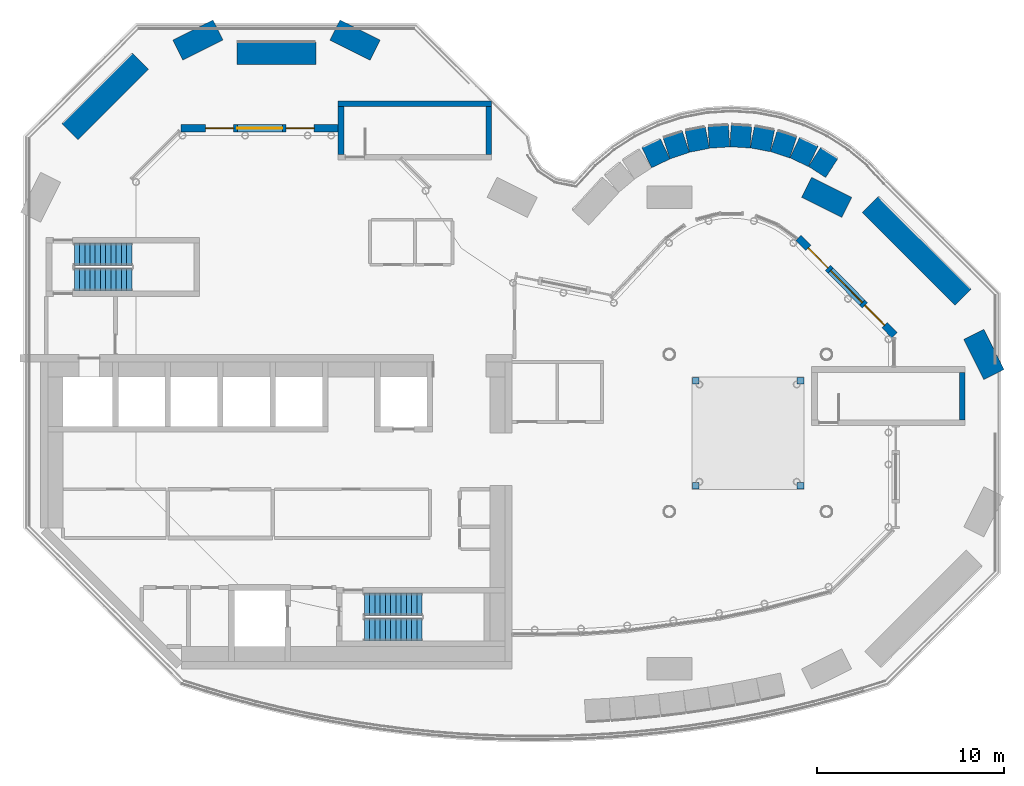
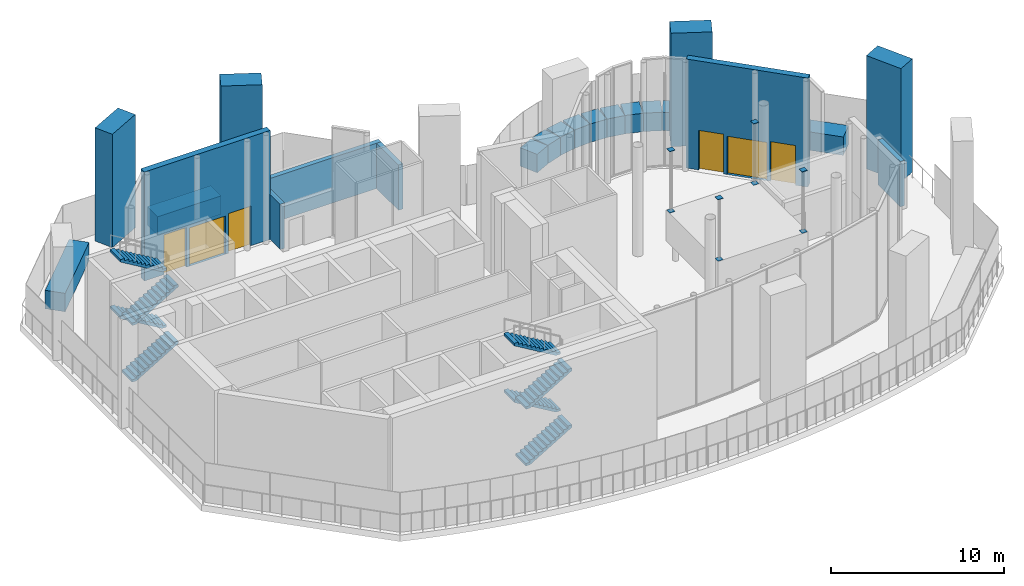
# One storey, part 10 of 14: 22 walls, 8 discrete accessories, 8 stair flights, 4 windows, 2 doors, 6 openings, 2 elements without a shape of their own.
"""IFC4 building model written with IfcOpenShell, lengths in metres."""

from ifc_helpers import new_model, si_unit, direction, frame, frame_2d, origin, origin_2d, place, context, subcontext, project, spatial, polyline, rectangle, outline, extrude, material, layer, layer_set, type_object, element, fill, aggregate, save


model = new_model("IFC4")

# Units and contexts
model_context = context("Model", 3, precision=1e-05, world=origin(), true_north=direction((0.0, 1.0)))
body_context = subcontext(model_context, "Body", "Model", "MODEL_VIEW")
ifc_project = project(units=[si_unit("LENGTHUNIT", "METRE"), si_unit("AREAUNIT", "SQUARE_METRE"), si_unit("VOLUMEUNIT", "CUBIC_METRE"), si_unit("PLANEANGLEUNIT", "RADIAN"), si_unit("MASSUNIT", "GRAM", prefix="KILO")], contexts=[model_context])

# Site, building, storey
site_placement = place(None, origin())
site = spatial("IfcSite", under=ifc_project, at=site_placement, CompositionType="ELEMENT")
building_placement = place(site_placement, origin())
building = spatial("IfcBuilding", under=site, at=building_placement, Name="Brevane Broadcast Tower", CompositionType="ELEMENT")
storey_placement = place(building_placement, frame((0.0, 0.0, 256.199951171875)))
storey = spatial("IfcBuildingStorey", under=building, at=storey_placement, Name="L65", CompositionType="ELEMENT", Elevation=256.199951171875)

# Walls
ifc_material_1 = material(Name="Concrete C60/75", Category="concrete")
ifc_layer_1 = layer(ifc_material_1, 1.199951171875)
ifc_layer_set_1 = layer_set([ifc_layer_1], Name="CONCRETE CANOPY PIER WALL 1200 C60/75")
wall_type_1 = type_object("IfcWallType", Name="CONCRETE CANOPY PIER WALL 1200 C60/75", PredefinedType="SOLIDWALL", material=ifc_layer_set_1)
wall_1_placement = place(storey_placement, frame((9.473388671875, 34.13671875, 0.0), z_axis=(0.0, 0.0, 1.0), x_axis=(-0.894406846464, -0.447254282259, 0.0)))
element("IfcWall", 1, at=wall_1_placement, inside=storey, type_object=wall_type_1, Name="CP1 2", PredefinedType="SOLIDWALL", context=body_context, shape_type="SweptSolid", body=[
    extrude(rectangle(XDim=2.400146484375, YDim=1.199951171875, at=frame_2d((1.2001953125, 0.0))), origin(), (0.0, 0.0, 1.0), 8.0),
])
for number, where, z_axis, x_axis, name in (
    (2, (17.873291015625, 33.063232421875, 0.0), (0.0, 0.0, 1.0), (-0.894386496374, 0.447294975496, 0.0), "CP1 3"),
    (3, (43.0732421875, 24.663330078125, 0.0), (0.0, 0.0, 1.0), (-0.894427191, 0.4472135955, 0.0), "CP1 8"),
    (4, (50.936767578125, 15.726806640625, 0.0), (0.0, 0.0, 1.0), (-0.447294975496, 0.894386496374, 0.0), "CP1 10"),
):
    element("IfcWall", number, at=place(storey_placement, frame(where, z_axis=z_axis, x_axis=x_axis)), inside=storey, type_object=wall_type_1, Name=name, PredefinedType="SOLIDWALL", context=body_context, shape_type="SweptSolid", body=[
        extrude(rectangle(XDim=2.39990234375, YDim=1.199951171875, at=frame_2d((1.199951171875, 0.0))), origin(), (0.0, 0.0, 1.0), 8.0),
    ])
ifc_material_2 = material(Name="Concrete C50/60", Category="concrete")
ifc_layer_2 = layer(ifc_material_2, 0.300048828125)
ifc_layer_set_2 = layer_set([ifc_layer_2], Name="Core wall 300 mm C50/60")
wall_type_2 = type_object("IfcWallType", Name="Core wall 300 mm C50/60", PredefinedType="SHEAR", material=ifc_layer_set_2)
wall_2_placement = place(storey_placement, frame((15.89990234375, 30.199951171875, 0.0), z_axis=(0.0, 0.0, 1.0), x_axis=(1.0, 0.0, 0.0)))
element("IfcWall", 5, at=wall_2_placement, inside=storey, type_object=wall_type_2, Name="L65 stair wall ST-3-N", PredefinedType="SHEAR", context=body_context, shape_type="SweptSolid", body=[
    extrude(rectangle(XDim=8.2001953125, YDim=0.300048828125, at=frame_2d((4.10009765625, 0.0))), origin(), (0.0, 0.0, 1.0), 3.199951171875),
])
for number, where, z_axis, x_axis, name in (
    (6, (16.050048828125, 27.5, 0.0), (0.0, 0.0, 1.0), (0.0, 1.0, 0.0), "L65 stair wall ST-3-W"),
    (7, (23.949951171875, 27.5, 0.0), (0.0, 0.0, 1.0), (0.0, 1.0, 0.0), "L65 stair wall ST-3-E"),
    (8, (49.25, 13.300048828125, 0.0), (0.0, 0.0, 1.0), (0.0, 1.0, 0.0), "L65 stair wall ST-4-E"),
):
    element("IfcWall", number, at=place(storey_placement, frame(where, z_axis=z_axis, x_axis=x_axis)), inside=storey, type_object=wall_type_2, Name=name, PredefinedType="SHEAR", context=body_context, shape_type="SweptSolid", body=[
        extrude(rectangle(XDim=2.550048828125, YDim=0.300048828125, at=frame_2d((1.27490234375, 0.0))), origin(), (0.0, 0.0, 1.0), 3.199951171875),
    ])

# Wall, openings, door, windows
ifc_material_3 = material(Name="Concrete C40/50", Category="concrete")
ifc_layer_3 = layer(ifc_material_3, 0.39990234375)
ifc_layer_set_3 = layer_set([ifc_layer_3], Name="Hall portal wall 400")
wall_type_3 = type_object("IfcWallType", Name="Hall portal wall 400", PredefinedType="SOLIDWALL", material=ifc_layer_set_3)
wall_3_placement = place(storey_placement, frame((40.485595703125, 23.02978515625, 0.0), z_axis=(0.0, 0.0, 1.0), x_axis=(0.702768053857, -0.711419048436, 0.0)))
wall_3 = element("IfcWall", 9, at=wall_3_placement, inside=storey, type_object=wall_type_3, Name="Portal wall deck door", PredefinedType="SOLIDWALL", context=body_context, shape_type="SweptSolid", body=[
    extrude(rectangle(XDim=7.309326171875, YDim=0.39990234375, at=frame_2d((3.65478515625, 0.0))), origin(), (0.0, 0.0, 1.0), 7.699951171875),
])
opening_1_placement = place(wall_3_placement, frame((2.45458984375, 0.0, 0.0)))
opening_1 = element("IfcOpeningElement", 10, at=opening_1_placement, cuts=wall_3, Name="Opening EX20", PredefinedType="OPENING", context=body_context, shape_type="SweptSolid", body=[
    extrude(rectangle(XDim=2.39990234375, YDim=2.699951171875, at=frame_2d((1.199951171875, 1.35009765625))), frame((0.0, 0.2099609375, 0.0), z_axis=(0.0, -1.0, 0.0), x_axis=(1.0, 0.0, 0.0)), (0.0, 0.0, 1.0), 0.419921875),
])
opening_2_placement = place(wall_3_placement, frame((0.754638671875, 0.0, 0.0)))
opening_2 = element("IfcOpeningElement", 11, at=opening_2_placement, cuts=wall_3, Name="Opening FW07", PredefinedType="OPENING", context=body_context, shape_type="SweptSolid", body=[
    extrude(rectangle(XDim=1.5, YDim=2.800048828125, at=frame_2d((0.75, 1.39990234375))), frame((0.0, 0.2099609375, 0.0), z_axis=(0.0, -1.0, 0.0), x_axis=(1.0, 0.0, 0.0)), (0.0, 0.0, 1.0), 0.419921875),
])
opening_3_placement = place(wall_3_placement, frame((5.0546875, 0.0, 0.0)))
opening_3 = element("IfcOpeningElement", 12, at=opening_3_placement, cuts=wall_3, Name="Opening FW08", PredefinedType="OPENING", context=body_context, shape_type="SweptSolid", body=[
    extrude(rectangle(XDim=1.5, YDim=2.800048828125, at=frame_2d((0.75, 1.39990234375))), frame((0.0, 0.2099609375, 0.0), z_axis=(0.0, -1.0, 0.0), x_axis=(1.0, 0.0, 0.0)), (0.0, 0.0, 1.0), 0.419921875),
])
ifc_material_4 = material(Name="Aluminium bronze anodised and laminated glass", Category="aluminium")
door_type = type_object("IfcDoorType", Name="Hall deck door 2400x2700", OperationType="DOUBLE_DOOR_DOUBLE_SWING", PredefinedType="DOOR", material=ifc_material_4)
door_1_placement = place(opening_1_placement, origin())
door_1 = element("IfcDoor", 13, at=door_1_placement, inside=storey, type_object=door_type, Name="Deck door", OperationType="DOUBLE_DOOR_DOUBLE_SWING", OverallHeight=2.699951171875, OverallWidth=2.39990234375, PredefinedType="DOOR", context=body_context, shape_type="SweptSolid", body=[
    extrude(rectangle(XDim=2.39990234375, YDim=2.699951171875, at=frame_2d((1.199951171875, 1.35009765625))), frame((0.0, 0.02490234375, 0.0), z_axis=(0.0, -1.0, 0.0), x_axis=(1.0, 0.0, 0.0)), (0.0, 0.0, 1.0), 0.050048828125),
])
fill(opening_1, door_1)
ifc_material_5 = material(Name="Laminated glass bronze-tinted", Category="glass")
window_type = type_object("IfcWindowType", Name="Hall sidelight 1500x2800", PartitioningType="SINGLE_PANEL", PredefinedType="WINDOW", material=ifc_material_5)
window_1_placement = place(opening_2_placement, origin())
window_1 = element("IfcWindow", 14, at=window_1_placement, inside=storey, type_object=window_type, Name="Hall viewing window", OverallHeight=2.800048828125, OverallWidth=1.5, PartitioningType="SINGLE_PANEL", PredefinedType="WINDOW", context=body_context, shape_type="SweptSolid", body=[
    extrude(rectangle(XDim=1.5, YDim=2.800048828125, at=frame_2d((0.75, 1.39990234375))), frame((0.0, 0.030029296875, 0.0), z_axis=(0.0, -1.0, 0.0), x_axis=(1.0, 0.0, 0.0)), (0.0, 0.0, 1.0), 0.06005859375),
])
fill(opening_2, window_1)
window_2_placement = place(opening_3_placement, origin())
window_2 = element("IfcWindow", 15, at=window_2_placement, inside=storey, type_object=window_type, Name="Hall viewing window", OverallHeight=2.800048828125, OverallWidth=1.5, PartitioningType="SINGLE_PANEL", PredefinedType="WINDOW", context=body_context, shape_type="SweptSolid", body=[
    extrude(rectangle(XDim=1.5, YDim=2.800048828125, at=frame_2d((0.75, 1.39990234375))), frame((0.0, 0.030029296875, 0.0), z_axis=(0.0, -1.0, 0.0), x_axis=(1.0, 0.0, 0.0)), (0.0, 0.0, 1.0), 0.06005859375),
])
fill(opening_3, window_2)

wall_4_placement = place(storey_placement, frame((7.5107421875, 28.8798828125, 0.0), z_axis=(0.0, 0.0, 1.0), x_axis=(1.0, 0.0, 0.0)))
wall_4 = element("IfcWall", 16, at=wall_4_placement, inside=storey, type_object=wall_type_3, Name="Portal wall deck door", PredefinedType="SOLIDWALL", context=body_context, shape_type="SweptSolid", body=[
    extrude(rectangle(XDim=8.4091796875, YDim=0.39990234375, at=frame_2d((4.20458984375, 0.0))), origin(), (0.0, 0.0, 1.0), 7.699951171875),
])
opening_4_placement = place(wall_4_placement, frame((3.004638671875, 0.0, 0.0)))
opening_4 = element("IfcOpeningElement", 17, at=opening_4_placement, cuts=wall_4, Name="Opening EX22", PredefinedType="OPENING", context=body_context, shape_type="SweptSolid", body=[
    extrude(rectangle(XDim=2.39990234375, YDim=2.699951171875, at=frame_2d((1.199951171875, 1.35009765625))), frame((0.0, 0.2099609375, 0.0), z_axis=(0.0, -1.0, 0.0), x_axis=(1.0, 0.0, 0.0)), (0.0, 0.0, 1.0), 0.419921875),
])
opening_5_placement = place(wall_4_placement, frame((1.3046875, 0.0, 0.0)))
opening_5 = element("IfcOpeningElement", 18, at=opening_5_placement, cuts=wall_4, Name="Opening FW11", PredefinedType="OPENING", context=body_context, shape_type="SweptSolid", body=[
    extrude(rectangle(XDim=1.5, YDim=2.800048828125, at=frame_2d((0.75, 1.39990234375))), frame((0.0, 0.2099609375, 0.0), z_axis=(0.0, -1.0, 0.0), x_axis=(1.0, 0.0, 0.0)), (0.0, 0.0, 1.0), 0.419921875),
])
opening_6_placement = place(wall_4_placement, frame((5.604736328125, 0.0, 0.0)))
opening_6 = element("IfcOpeningElement", 19, at=opening_6_placement, cuts=wall_4, Name="Opening FW12", PredefinedType="OPENING", context=body_context, shape_type="SweptSolid", body=[
    extrude(rectangle(XDim=1.5, YDim=2.800048828125, at=frame_2d((0.75, 1.39990234375))), frame((0.0, 0.2099609375, 0.0), z_axis=(0.0, -1.0, 0.0), x_axis=(1.0, 0.0, 0.0)), (0.0, 0.0, 1.0), 0.419921875),
])
door_2_placement = place(opening_4_placement, origin())
door_2 = element("IfcDoor", 20, at=door_2_placement, inside=storey, type_object=door_type, Name="Deck door", OperationType="DOUBLE_DOOR_DOUBLE_SWING", OverallHeight=2.699951171875, OverallWidth=2.39990234375, PredefinedType="DOOR", context=body_context, shape_type="SweptSolid", body=[
    extrude(rectangle(XDim=2.39990234375, YDim=2.699951171875, at=frame_2d((1.199951171875, 1.35009765625))), frame((0.0, 0.02490234375, 0.0), z_axis=(0.0, -1.0, 0.0), x_axis=(1.0, 0.0, 0.0)), (0.0, 0.0, 1.0), 0.050048828125),
])
fill(opening_4, door_2)
window_3_placement = place(opening_5_placement, origin())
window_3 = element("IfcWindow", 21, at=window_3_placement, inside=storey, type_object=window_type, Name="Hall viewing window", OverallHeight=2.800048828125, OverallWidth=1.5, PartitioningType="SINGLE_PANEL", PredefinedType="WINDOW", context=body_context, shape_type="SweptSolid", body=[
    extrude(rectangle(XDim=1.5, YDim=2.800048828125, at=frame_2d((0.75, 1.39990234375))), frame((0.0, 0.030029296875, 0.0), z_axis=(0.0, -1.0, 0.0), x_axis=(1.0, 0.0, 0.0)), (0.0, 0.0, 1.0), 0.06005859375),
])
fill(opening_5, window_3)
window_4_placement = place(opening_6_placement, origin())
window_4 = element("IfcWindow", 22, at=window_4_placement, inside=storey, type_object=window_type, Name="Hall viewing window", OverallHeight=2.800048828125, OverallWidth=1.5, PartitioningType="SINGLE_PANEL", PredefinedType="WINDOW", context=body_context, shape_type="SweptSolid", body=[
    extrude(rectangle(XDim=1.5, YDim=2.800048828125, at=frame_2d((0.75, 1.39990234375))), frame((0.0, 0.030029296875, 0.0), z_axis=(0.0, -1.0, 0.0), x_axis=(1.0, 0.0, 0.0)), (0.0, 0.0, 1.0), 0.06005859375),
])
fill(opening_6, window_4)

# Walls
ifc_material_6 = material(Name="Concrete C30/37", Category="concrete")
ifc_layer_4 = layer(ifc_material_6, 1.199951171875)
ifc_layer_set_4 = layer_set([ifc_layer_4], Name="Planter wall 1200")
wall_type_4 = type_object("IfcWallType", Name="Planter wall 1200", PredefinedType="PARAPET", material=ifc_layer_set_4)
wall_5_placement = place(storey_placement, frame((49.275634765625, 19.861572265625, 0.0), z_axis=(0.0, 0.0, 1.0), x_axis=(-0.707106781187, 0.707106781187, 0.0)))
element("IfcWall", 23, at=wall_5_placement, inside=storey, type_object=wall_type_4, Name="Planting bed L65-10", PredefinedType="PARAPET", context=body_context, shape_type="SweptSolid", body=[
    extrude(rectangle(XDim=7.009033203125, YDim=1.199951171875, at=frame_2d((3.50439453125, 0.0))), origin(), (0.0, 0.0, 1.0), 1.300048828125),
])
wall_6_placement = place(storey_placement, frame((42.2705078125, 26.76220703125, 0.0), z_axis=(0.0, 0.0, 1.0), x_axis=(-0.841004386889, 0.541028299846, 0.0)))
element("IfcWall", 24, at=wall_6_placement, inside=storey, type_object=wall_type_4, Name="Planting bed L65-11", PredefinedType="PARAPET", context=body_context, shape_type="SweptSolid", body=[
    extrude(rectangle(XDim=1.09375, YDim=1.199951171875, at=frame_2d((0.546875, 0.0))), origin(), (0.0, 0.0, 1.0), 1.300048828125),
])
for number, where, z_axis, x_axis, name in (
    (25, (41.27978515625, 27.382080078125, 0.0), (0.0, 0.0, 1.0), (-0.902790374194, 0.43008085317, 0.0), "Planting bed L65-12"),
    (26, (40.218505859375, 27.87158203125, 0.0), (0.0, 0.0, 1.0), (-0.950013784096, 0.312207959584, 0.0), "Planting bed L65-13"),
):
    element("IfcWall", number, at=place(storey_placement, frame(where, z_axis=z_axis, x_axis=x_axis)), inside=storey, type_object=wall_type_4, Name=name, PredefinedType="PARAPET", context=body_context, shape_type="SweptSolid", body=[
        extrude(rectangle(XDim=1.093994140625, YDim=1.199951171875, at=frame_2d((0.546875, 0.0))), origin(), (0.0, 0.0, 1.0), 1.300048828125),
    ])
wall_7_placement = place(storey_placement, frame((39.103759765625, 28.22265625, 0.0), z_axis=(0.0, 0.0, 1.0), x_axis=(-0.981921966744, 0.189286162264, 0.0)))
element("IfcWall", 27, at=wall_7_placement, inside=storey, type_object=wall_type_4, Name="Planting bed L65-14", PredefinedType="PARAPET", context=body_context, shape_type="SweptSolid", body=[
    extrude(rectangle(XDim=1.09375, YDim=1.199951171875, at=frame_2d((0.546875, 0.0))), origin(), (0.0, 0.0, 1.0), 1.300048828125),
])
wall_8_placement = place(storey_placement, frame((37.95361328125, 28.4296875, 0.0), z_axis=(0.0, 0.0, 1.0), x_axis=(-0.997975416577, 0.063600848328, 0.0)))
element("IfcWall", 28, at=wall_8_placement, inside=storey, type_object=wall_type_4, Name="Planting bed L65-15", PredefinedType="PARAPET", context=body_context, shape_type="SweptSolid", body=[
    extrude(rectangle(XDim=1.093994140625, YDim=1.199951171875, at=frame_2d((0.546875, 0.0))), origin(), (0.0, 0.0, 1.0), 1.300048828125),
])
for number, where, z_axis, x_axis, name in (
    (29, (36.786376953125, 28.489501953125, 0.0), (0.0, 0.0, 1.0), (-0.997988659798, -0.063392703955, 0.0), "Planting bed L65-16"),
    (30, (35.62109375, 28.40087890625, 0.0), (0.0, 0.0, 1.0), (-0.981921966744, -0.189286162264, 0.0), "Planting bed L65-17"),
):
    element("IfcWall", number, at=place(storey_placement, frame(where, z_axis=z_axis, x_axis=x_axis)), inside=storey, type_object=wall_type_4, Name=name, PredefinedType="PARAPET", context=body_context, shape_type="SweptSolid", body=[
        extrude(rectangle(XDim=1.09375, YDim=1.199951171875, at=frame_2d((0.546875, 0.0))), origin(), (0.0, 0.0, 1.0), 1.300048828125),
    ])
wall_9_placement = place(storey_placement, frame((34.476318359375, 28.16552734375, 0.0), z_axis=(0.0, 0.0, 1.0), x_axis=(-0.950079958535, -0.312006526199, 0.0)))
element("IfcWall", 31, at=wall_9_placement, inside=storey, type_object=wall_type_4, Name="Planting bed L65-18", PredefinedType="PARAPET", context=body_context, shape_type="SweptSolid", body=[
    extrude(rectangle(XDim=1.093994140625, YDim=1.199951171875, at=frame_2d((0.546875, 0.0))), origin(), (0.0, 0.0, 1.0), 1.300048828125),
])
wall_10_placement = place(storey_placement, frame((33.37060546875, 27.787109375, 0.0), z_axis=(0.0, 0.0, 1.0), x_axis=(-0.902877021535, -0.429898922986, 0.0)))
element("IfcWall", 32, at=wall_10_placement, inside=storey, type_object=wall_type_4, Name="Planting bed L65-19", PredefinedType="PARAPET", context=body_context, shape_type="SweptSolid", body=[
    extrude(rectangle(XDim=1.09375, YDim=1.199951171875, at=frame_2d((0.546875, 0.0))), origin(), (0.0, 0.0, 1.0), 1.300048828125),
])
wall_11_placement = place(storey_placement, frame((14.71337890625, 32.89990234375, 0.0), z_axis=(0.0, 0.0, 1.0), x_axis=(-1.0, 0.0, 0.0)))
element("IfcWall", 33, at=wall_11_placement, inside=storey, type_object=wall_type_4, Name="Planting bed L65-23", PredefinedType="PARAPET", context=body_context, shape_type="SweptSolid", body=[
    extrude(rectangle(XDim=4.2265625, YDim=1.199951171875, at=frame_2d((2.11328125, 0.0))), origin(), (0.0, 0.0, 1.0), 1.300048828125),
])
wall_12_placement = place(storey_placement, frame((5.33837890625, 32.4755859375, 0.0), z_axis=(0.0, 0.0, 1.0), x_axis=(-0.707106781187, -0.707106781187, 0.0)))
element("IfcWall", 34, at=wall_12_placement, inside=storey, type_object=wall_type_4, Name="Planting bed L65-24", PredefinedType="PARAPET", context=body_context, shape_type="SweptSolid", body=[
    extrude(rectangle(XDim=5.324951171875, YDim=1.199951171875, at=frame_2d((2.66259765625, 0.0))), origin(), (0.0, 0.0, 1.0), 1.300048828125),
])

# Stair, stair flights
stair_type = type_object("IfcStairType", Name="Exit stair 48 risers", PredefinedType="HALF_TURN_STAIR", material=ifc_material_2)
stair_1_placement = place(storey_placement, origin())
stair_1 = element("IfcStair", 35, at=stair_1_placement, inside=storey, type_object=stair_type, Name="L65 Exit stair ST-1", PredefinedType="HALF_TURN_STAIR")
stair_flight_type = type_object("IfcStairFlightType", Name="Exit stair flight 48 risers", PredefinedType="STRAIGHT", material=ifc_material_2)
stair_flight_1_placement = place(storey_placement, frame((1.800048828125, 20.800048828125, 0.0), z_axis=(0.0, 0.0, 1.0), x_axis=(1.0, 0.0, 0.0)))
stair_flight_1 = element("IfcStairFlight", 36, at=stair_flight_1_placement, type_object=stair_flight_type, Name="ST-1 flight 1", NumberOfRisers=12, NumberOfTreads=11, PredefinedType="STRAIGHT", RiserHeight=0.166666667, TreadLength=0.28, context=body_context, shape_type="SweptSolid", body=[
    extrude(outline(polyline([(0.0, 0.0), (0.0, 0.166748046875), (0.280029296875, 0.166748046875), (0.280029296875, 0.333251953125), (0.56005859375, 0.333251953125), (0.56005859375, 0.5), (0.840087890625, 0.5), (0.840087890625, 0.666748046875), (1.1201171875, 0.666748046875), (1.1201171875, 0.833251953125), (1.39990234375, 0.833251953125), (1.39990234375, 1.0), (1.679931640625, 1.0), (1.679931640625, 1.166748046875), (1.9599609375, 1.166748046875), (1.9599609375, 1.333251953125), (2.239990234375, 1.333251953125), (2.239990234375, 1.5), (2.52001953125, 1.5), (2.52001953125, 1.666748046875), (2.800048828125, 1.666748046875), (2.800048828125, 1.833251953125), (3.080078125, 1.833251953125), (3.080078125, 2.0), (3.080078125, 1.658935546875), (0.29296875, 0.0), (0.0, 0.0)])), frame((0.0, 0.60009765625, 0.0), z_axis=(0.0, -1.0, 0.0), x_axis=(1.0, 0.0, 0.0)), (0.0, 0.0, 1.0), 1.199951171875),
])
stair_flight_2_placement = place(storey_placement, frame((4.8798828125, 22.14990234375, 2.0), z_axis=(0.0, 0.0, 1.0), x_axis=(-1.0, 0.0, 0.0)))
stair_flight_2 = element("IfcStairFlight", 37, at=stair_flight_2_placement, type_object=stair_flight_type, Name="ST-1 flight 2", NumberOfRisers=12, NumberOfTreads=11, PredefinedType="STRAIGHT", RiserHeight=0.166666667, TreadLength=0.28, context=body_context, shape_type="SweptSolid", body=[
    extrude(outline(polyline([(0.0, 0.0), (0.0, 0.166748046875), (0.280029296875, 0.166748046875), (0.280029296875, 0.333251953125), (0.56005859375, 0.333251953125), (0.56005859375, 0.5), (0.840087890625, 0.5), (0.840087890625, 0.666748046875), (1.1201171875, 0.666748046875), (1.1201171875, 0.833251953125), (1.39990234375, 0.833251953125), (1.39990234375, 1.0), (1.679931640625, 1.0), (1.679931640625, 1.166748046875), (1.9599609375, 1.166748046875), (1.9599609375, 1.333251953125), (2.239990234375, 1.333251953125), (2.239990234375, 1.5), (2.52001953125, 1.5), (2.52001953125, 1.666748046875), (2.800048828125, 1.666748046875), (2.800048828125, 1.833251953125), (3.080078125, 1.833251953125), (3.080078125, 2.0), (3.080078125, 1.658935546875), (0.29296875, 0.0), (0.0, 0.0)])), frame((0.0, 0.60009765625, 0.0), z_axis=(0.0, -1.0, 0.0), x_axis=(1.0, 0.0, 0.0)), (0.0, 0.0, 1.0), 1.199951171875),
])
stair_flight_3_placement = place(storey_placement, frame((1.800048828125, 20.800048828125, 4.0), z_axis=(0.0, 0.0, 1.0), x_axis=(1.0, 0.0, 0.0)))
stair_flight_3 = element("IfcStairFlight", 38, at=stair_flight_3_placement, type_object=stair_flight_type, Name="ST-1 flight 3", NumberOfRisers=12, NumberOfTreads=11, PredefinedType="STRAIGHT", RiserHeight=0.166666667, TreadLength=0.28, context=body_context, shape_type="SweptSolid", body=[
    extrude(outline(polyline([(0.0, 0.0), (0.0, 0.166748046875), (0.280029296875, 0.166748046875), (0.280029296875, 0.333251953125), (0.56005859375, 0.333251953125), (0.56005859375, 0.5), (0.840087890625, 0.5), (0.840087890625, 0.666748046875), (1.1201171875, 0.666748046875), (1.1201171875, 0.833251953125), (1.39990234375, 0.833251953125), (1.39990234375, 1.0), (1.679931640625, 1.0), (1.679931640625, 1.166748046875), (1.9599609375, 1.166748046875), (1.9599609375, 1.333251953125), (2.239990234375, 1.333251953125), (2.239990234375, 1.5), (2.52001953125, 1.5), (2.52001953125, 1.666748046875), (2.800048828125, 1.666748046875), (2.800048828125, 1.833251953125), (3.080078125, 1.833251953125), (3.080078125, 2.0), (3.080078125, 1.658935546875), (0.29296875, 0.0), (0.0, 0.0)])), frame((0.0, 0.60009765625, 0.0), z_axis=(0.0, -1.0, 0.0), x_axis=(1.0, 0.0, 0.0)), (0.0, 0.0, 1.0), 1.199951171875),
])
stair_flight_4_placement = place(storey_placement, frame((4.8798828125, 22.14990234375, 6.0), z_axis=(0.0, 0.0, 1.0), x_axis=(-1.0, 0.0, 0.0)))
stair_flight_4 = element("IfcStairFlight", 39, at=stair_flight_4_placement, type_object=stair_flight_type, Name="ST-1 flight 4", NumberOfRisers=12, NumberOfTreads=11, PredefinedType="STRAIGHT", RiserHeight=0.166666667, TreadLength=0.28, context=body_context, shape_type="SweptSolid", body=[
    extrude(outline(polyline([(0.0, 0.0), (0.0, 0.166748046875), (0.280029296875, 0.166748046875), (0.280029296875, 0.333251953125), (0.56005859375, 0.333251953125), (0.56005859375, 0.5), (0.840087890625, 0.5), (0.840087890625, 0.666748046875), (1.1201171875, 0.666748046875), (1.1201171875, 0.833251953125), (1.39990234375, 0.833251953125), (1.39990234375, 1.0), (1.679931640625, 1.0), (1.679931640625, 1.166748046875), (1.9599609375, 1.166748046875), (1.9599609375, 1.333251953125), (2.239990234375, 1.333251953125), (2.239990234375, 1.5), (2.52001953125, 1.5), (2.52001953125, 1.666748046875), (2.800048828125, 1.666748046875), (2.800048828125, 1.833251953125), (3.080078125, 1.833251953125), (3.080078125, 2.0), (3.080078125, 1.658935546875), (0.29296875, 0.0), (0.0, 0.0)])), frame((0.0, 0.60009765625, 0.0), z_axis=(0.0, -1.0, 0.0), x_axis=(1.0, 0.0, 0.0)), (0.0, 0.0, 1.0), 1.199951171875),
])
aggregate(stair_1, [stair_flight_1, stair_flight_2, stair_flight_3, stair_flight_4])

stair_2_placement = place(storey_placement, origin())
stair_2 = element("IfcStair", 40, at=stair_2_placement, inside=storey, type_object=stair_type, Name="L65 Exit stair ST-2", PredefinedType="HALF_TURN_STAIR")
stair_flight_5_placement = place(storey_placement, frame((17.300048828125, 2.10009765625, 0.0), z_axis=(0.0, 0.0, 1.0), x_axis=(1.0, 0.0, 0.0)))
stair_flight_5 = element("IfcStairFlight", 41, at=stair_flight_5_placement, type_object=stair_flight_type, Name="ST-2 flight 1", NumberOfRisers=12, NumberOfTreads=11, PredefinedType="STRAIGHT", RiserHeight=0.166666667, TreadLength=0.28, context=body_context, shape_type="SweptSolid", body=[
    extrude(outline(polyline([(0.0, 0.0), (0.0, 0.166748046875), (0.280029296875, 0.166748046875), (0.280029296875, 0.333251953125), (0.56005859375, 0.333251953125), (0.56005859375, 0.5), (0.840087890625, 0.5), (0.840087890625, 0.666748046875), (1.1201171875, 0.666748046875), (1.1201171875, 0.833251953125), (1.39990234375, 0.833251953125), (1.39990234375, 1.0), (1.679931640625, 1.0), (1.679931640625, 1.166748046875), (1.9599609375, 1.166748046875), (1.9599609375, 1.333251953125), (2.239990234375, 1.333251953125), (2.239990234375, 1.5), (2.52001953125, 1.5), (2.52001953125, 1.666748046875), (2.800048828125, 1.666748046875), (2.800048828125, 1.833251953125), (3.080078125, 1.833251953125), (3.080078125, 2.0), (3.080078125, 1.658935546875), (0.29296875, 0.0), (0.0, 0.0)])), frame((0.0, 0.60009765625, 0.0), z_axis=(0.0, -1.0, 0.0), x_axis=(1.0, 0.0, 0.0)), (0.0, 0.0, 1.0), 1.199951171875),
])
stair_flight_6_placement = place(storey_placement, frame((20.3798828125, 3.449951171875, 2.0), z_axis=(0.0, 0.0, 1.0), x_axis=(-1.0, 0.0, 0.0)))
stair_flight_6 = element("IfcStairFlight", 42, at=stair_flight_6_placement, type_object=stair_flight_type, Name="ST-2 flight 2", NumberOfRisers=12, NumberOfTreads=11, PredefinedType="STRAIGHT", RiserHeight=0.166666667, TreadLength=0.28, context=body_context, shape_type="SweptSolid", body=[
    extrude(outline(polyline([(0.0, 0.0), (0.0, 0.166748046875), (0.280029296875, 0.166748046875), (0.280029296875, 0.333251953125), (0.56005859375, 0.333251953125), (0.56005859375, 0.5), (0.840087890625, 0.5), (0.840087890625, 0.666748046875), (1.1201171875, 0.666748046875), (1.1201171875, 0.833251953125), (1.39990234375, 0.833251953125), (1.39990234375, 1.0), (1.679931640625, 1.0), (1.679931640625, 1.166748046875), (1.9599609375, 1.166748046875), (1.9599609375, 1.333251953125), (2.239990234375, 1.333251953125), (2.239990234375, 1.5), (2.52001953125, 1.5), (2.52001953125, 1.666748046875), (2.800048828125, 1.666748046875), (2.800048828125, 1.833251953125), (3.080078125, 1.833251953125), (3.080078125, 2.0), (3.080078125, 1.658935546875), (0.29296875, 0.0), (0.0, 0.0)])), frame((0.0, 0.60009765625, 0.0), z_axis=(0.0, -1.0, 0.0), x_axis=(1.0, 0.0, 0.0)), (0.0, 0.0, 1.0), 1.199951171875),
])
stair_flight_7_placement = place(storey_placement, frame((17.300048828125, 2.10009765625, 4.0), z_axis=(0.0, 0.0, 1.0), x_axis=(1.0, 0.0, 0.0)))
stair_flight_7 = element("IfcStairFlight", 43, at=stair_flight_7_placement, type_object=stair_flight_type, Name="ST-2 flight 3", NumberOfRisers=12, NumberOfTreads=11, PredefinedType="STRAIGHT", RiserHeight=0.166666667, TreadLength=0.28, context=body_context, shape_type="SweptSolid", body=[
    extrude(outline(polyline([(0.0, 0.0), (0.0, 0.166748046875), (0.280029296875, 0.166748046875), (0.280029296875, 0.333251953125), (0.56005859375, 0.333251953125), (0.56005859375, 0.5), (0.840087890625, 0.5), (0.840087890625, 0.666748046875), (1.1201171875, 0.666748046875), (1.1201171875, 0.833251953125), (1.39990234375, 0.833251953125), (1.39990234375, 1.0), (1.679931640625, 1.0), (1.679931640625, 1.166748046875), (1.9599609375, 1.166748046875), (1.9599609375, 1.333251953125), (2.239990234375, 1.333251953125), (2.239990234375, 1.5), (2.52001953125, 1.5), (2.52001953125, 1.666748046875), (2.800048828125, 1.666748046875), (2.800048828125, 1.833251953125), (3.080078125, 1.833251953125), (3.080078125, 2.0), (3.080078125, 1.658935546875), (0.29296875, 0.0), (0.0, 0.0)])), frame((0.0, 0.60009765625, 0.0), z_axis=(0.0, -1.0, 0.0), x_axis=(1.0, 0.0, 0.0)), (0.0, 0.0, 1.0), 1.199951171875),
])
stair_flight_8_placement = place(storey_placement, frame((20.3798828125, 3.449951171875, 6.0), z_axis=(0.0, 0.0, 1.0), x_axis=(-1.0, 0.0, 0.0)))
stair_flight_8 = element("IfcStairFlight", 44, at=stair_flight_8_placement, type_object=stair_flight_type, Name="ST-2 flight 4", NumberOfRisers=12, NumberOfTreads=11, PredefinedType="STRAIGHT", RiserHeight=0.166666667, TreadLength=0.28, context=body_context, shape_type="SweptSolid", body=[
    extrude(outline(polyline([(0.0, 0.0), (0.0, 0.166748046875), (0.280029296875, 0.166748046875), (0.280029296875, 0.333251953125), (0.56005859375, 0.333251953125), (0.56005859375, 0.5), (0.840087890625, 0.5), (0.840087890625, 0.666748046875), (1.1201171875, 0.666748046875), (1.1201171875, 0.833251953125), (1.39990234375, 0.833251953125), (1.39990234375, 1.0), (1.679931640625, 1.0), (1.679931640625, 1.166748046875), (1.9599609375, 1.166748046875), (1.9599609375, 1.333251953125), (2.239990234375, 1.333251953125), (2.239990234375, 1.5), (2.52001953125, 1.5), (2.52001953125, 1.666748046875), (2.800048828125, 1.666748046875), (2.800048828125, 1.833251953125), (3.080078125, 1.833251953125), (3.080078125, 2.0), (3.080078125, 1.658935546875), (0.29296875, 0.0), (0.0, 0.0)])), frame((0.0, 0.60009765625, 0.0), z_axis=(0.0, -1.0, 0.0), x_axis=(1.0, 0.0, 0.0)), (0.0, 0.0, 1.0), 1.199951171875),
])
aggregate(stair_2, [stair_flight_5, stair_flight_6, stair_flight_7, stair_flight_8])

# Discrete accessories
ifc_material_7 = material(Name="Steel S355", Category="steel")
ifc_layer_5 = layer(ifc_material_7, 0.0400390625)
ifc_layer_set_5 = layer_set([ifc_layer_5], Name="Gusset plate 350x350x40 S355")
discrete_accessory_type = type_object("IfcDiscreteAccessoryType", Name="Gusset plate 350x350x40 S355", PredefinedType="ANCHORPLATE", material=ifc_layer_set_5)
for number, where, z_axis, x_axis, name in (
    (45, (35.0, 9.800048828125, 3.360107421875), (0.0, 0.0, 1.0), (1.0, 0.0, 0.0), "Gusset plate GP7-168"),
    (46, (35.0, 9.800048828125, 7.699951171875), (0.0, 0.0, 1.0), (1.0, 0.0, 0.0), "Gusset plate GP7-169"),
    (47, (40.60009765625, 9.800048828125, 3.360107421875), (0.0, 0.0, 1.0), (1.0, 0.0, 0.0), "Gusset plate GP7-170"),
    (48, (40.60009765625, 9.800048828125, 7.699951171875), (0.0, 0.0, 1.0), (1.0, 0.0, 0.0), "Gusset plate GP7-171"),
    (49, (40.60009765625, 15.39990234375, 3.360107421875), (0.0, 0.0, 1.0), (1.0, 0.0, 0.0), "Gusset plate GP7-172"),
    (50, (40.60009765625, 15.39990234375, 7.699951171875), (0.0, 0.0, 1.0), (1.0, 0.0, 0.0), "Gusset plate GP7-173"),
    (51, (35.0, 15.39990234375, 3.360107421875), (0.0, 0.0, 1.0), (1.0, 0.0, 0.0), "Gusset plate GP7-174"),
    (52, (35.0, 15.39990234375, 7.699951171875), (0.0, 0.0, 1.0), (1.0, 0.0, 0.0), "Gusset plate GP7-175"),
):
    element("IfcDiscreteAccessory", number, at=place(storey_placement, frame(where, z_axis=z_axis, x_axis=x_axis)), inside=storey, type_object=discrete_accessory_type, Name=name, PredefinedType="ANCHORPLATE", context=body_context, shape_type="SweptSolid", body=[
        extrude(rectangle(XDim=0.35009765625, YDim=0.35009765625, at=origin_2d()), origin(), (0.0, 0.0, 1.0), 0.0400390625),
    ])

save(model, "model.ifc")
